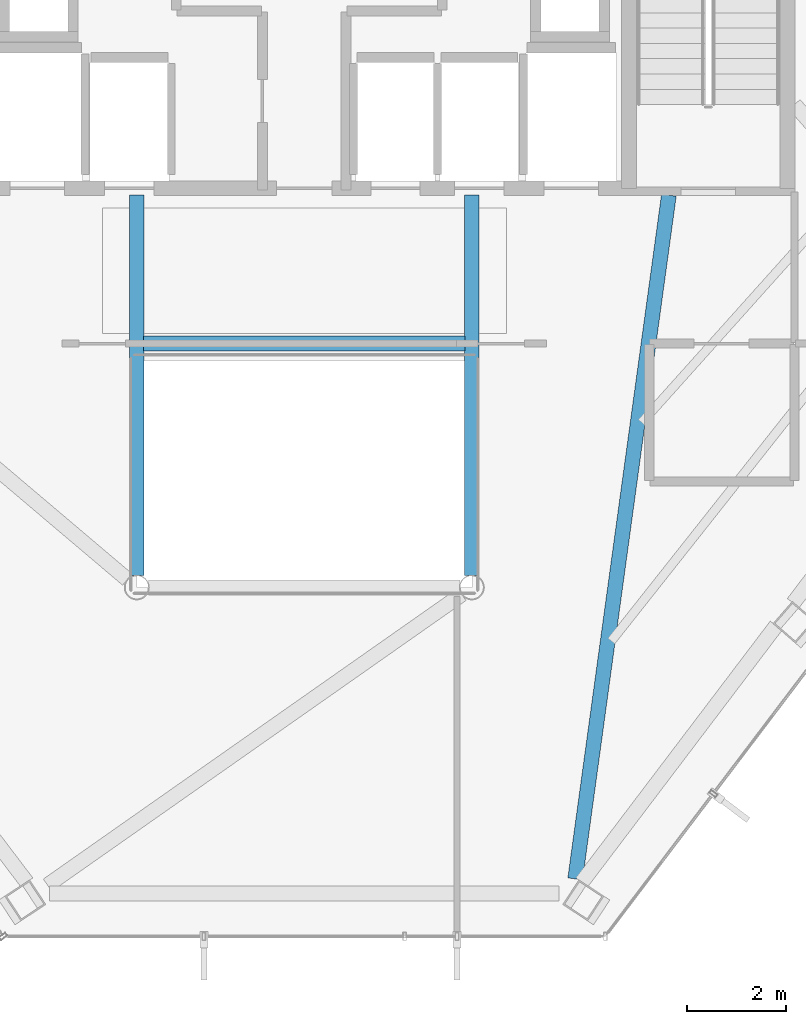
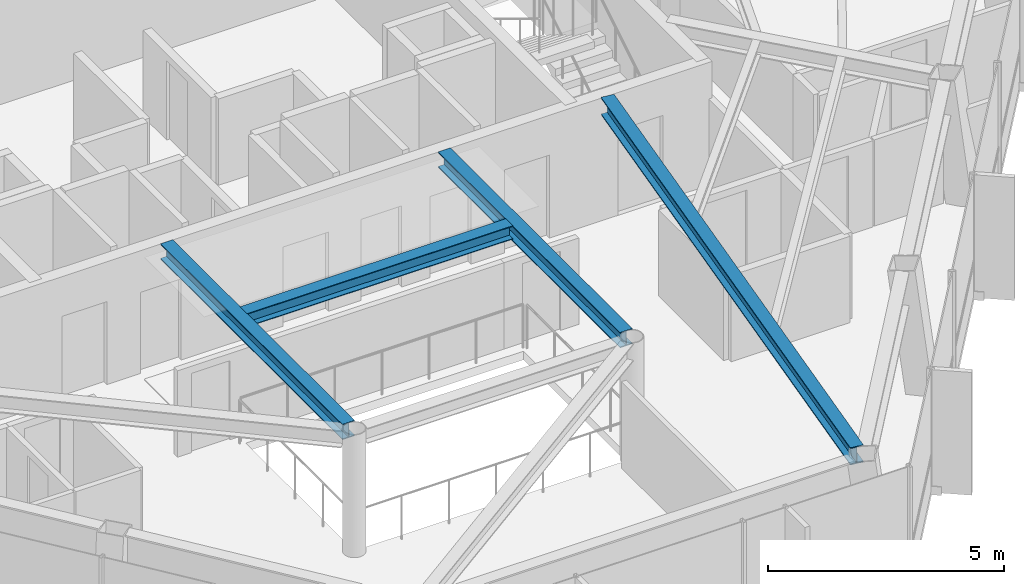
# One storey, part 9 of 27: 4 beams.
"""IFC4 building model written with IfcOpenShell, lengths in metres."""

from ifc_helpers import new_model, si_unit, direction, frame, origin, origin_2d, place, context, subcontext, project, spatial, i_section, extrude, material, material_profile, profile_set, type_object, element, save


model = new_model("IFC4")

# Units and contexts
model_context = context("Model", 3, precision=1e-05, world=origin(), true_north=direction((0.0, 1.0)))
body_context = subcontext(model_context, "Body", "Model", "MODEL_VIEW")
ifc_project = project(units=[si_unit("LENGTHUNIT", "METRE"), si_unit("AREAUNIT", "SQUARE_METRE"), si_unit("VOLUMEUNIT", "CUBIC_METRE"), si_unit("PLANEANGLEUNIT", "RADIAN"), si_unit("MASSUNIT", "GRAM", prefix="KILO")], contexts=[model_context])

# Site, building, storey
site_placement = place(None, origin())
site = spatial("IfcSite", under=ifc_project, at=site_placement, CompositionType="ELEMENT")
building_placement = place(site_placement, origin())
building = spatial("IfcBuilding", under=site, at=building_placement, Name="Zarrinselat Tower", CompositionType="ELEMENT")
storey_placement = place(building_placement, frame((0.0, 0.0, 225.760009765625)))
storey = spatial("IfcBuildingStorey", under=building, at=storey_placement, Name="L56", CompositionType="ELEMENT", Elevation=225.760009765625)

# Beams
ifc_material_1 = material(Name="Steel S355J2", Category="steel")
ifc_material_profile_1 = material_profile(ifc_material_1, i_section(OverallWidth=0.300048828125, OverallDepth=0.35009765625, WebThickness=0.010009765625, FlangeThickness=0.017578125, at=origin_2d()), Name="HEA 360")
ifc_profile_set_1 = profile_set([ifc_material_profile_1], Name="Steel S355J2")
beam_type_1 = type_object("IfcBeamType", Name="BM-HEA360", PredefinedType="LINTEL", material=ifc_profile_set_1)
beam_1_placement = place(storey_placement, frame((35.139892578125, 30.14990234375, 3.0048828125), z_axis=(1.0, 0.0, 0.0), x_axis=(0.0, 1.0, 0.0)))
element("IfcBeam", 1, at=beam_1_placement, inside=storey, type_object=beam_type_1, Name="L56 Lift Lobby Ceiling Beam", PredefinedType="LINTEL", context=body_context, shape_type="SweptSolid", body=[
    extrude(i_section(OverallWidth=0.300048828125, OverallDepth=0.35009765625, WebThickness=0.010009765625, FlangeThickness=0.017578125, at=origin_2d()), origin(), (0.0, 0.0, 1.0), 6.52001953125),
])
ifc_material_2 = material(Name="Steel S355J2", Category="steel")
ifc_material_profile_2 = material_profile(ifc_material_2, i_section(OverallWidth=0.300048828125, OverallDepth=0.39990234375, WebThickness=0.013427734375, FlangeThickness=0.02392578125, at=origin_2d()), Name="HEB 400")
ifc_profile_set_2 = profile_set([ifc_material_profile_2], Name="Steel S355J2")
beam_type_2 = type_object("IfcBeamType", Name="BM-HEB400", PredefinedType="BEAM", material=ifc_profile_set_2)
for number, where, z_axis, x_axis, name in (
    (2, (35.0, 25.43994140625, 2.97998046875), (0.0, 1.0, 0.0), (-1.0, 0.0, 0.0), "L56 Atrium Edge Beam W"),
    (3, (41.800048828125, 25.43994140625, 2.97998046875), (0.0, 1.0, 0.0), (-1.0, 0.0, 0.0), "L56 Atrium Edge Beam E"),
):
    element("IfcBeam", number, at=place(storey_placement, frame(where, z_axis=z_axis, x_axis=x_axis)), inside=storey, type_object=beam_type_2, Name=name, PredefinedType="BEAM", context=body_context, shape_type="SweptSolid", body=[
        extrude(i_section(OverallWidth=0.300048828125, OverallDepth=0.39990234375, WebThickness=0.013427734375, FlangeThickness=0.02392578125, at=origin_2d()), origin(), (0.0, 0.0, 1.0), 7.719970703125),
    ])
ifc_material_3 = material(Name="Steel S355J2", Category="steel")
ifc_material_profile_3 = material_profile(ifc_material_3, i_section(OverallWidth=0.300048828125, OverallDepth=0.449951171875, WebThickness=0.013916015625, FlangeThickness=0.02587890625, at=origin_2d()), Name="HEB 450")
ifc_profile_set_3 = profile_set([ifc_material_profile_3], Name="Steel S355J2")
beam_type_3 = type_object("IfcBeamType", Name="BM-HEB450", PredefinedType="BEAM", material=ifc_profile_set_3)
beam_2_placement = place(storey_placement, frame((43.89794921875, 19.283203125, 2.955078125), z_axis=(0.135801555817, 0.990736058412, 0.0), x_axis=(-0.990736058412, 0.135801555817, 0.0)))
element("IfcBeam", 4, at=beam_2_placement, inside=storey, type_object=beam_type_3, Name="L56 Radial Primary Girder RG11", PredefinedType="BEAM", context=body_context, shape_type="SweptSolid", body=[
    extrude(i_section(OverallWidth=0.300048828125, OverallDepth=0.449951171875, WebThickness=0.013916015625, FlangeThickness=0.02587890625, at=origin_2d()), origin(), (0.0, 0.0, 1.0), 14.00634765625),
])

save(model, "model.ifc")
